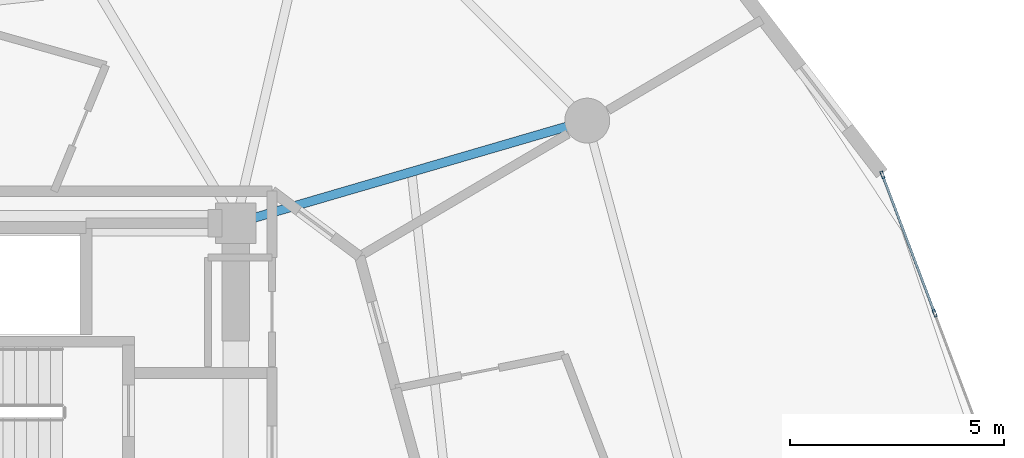
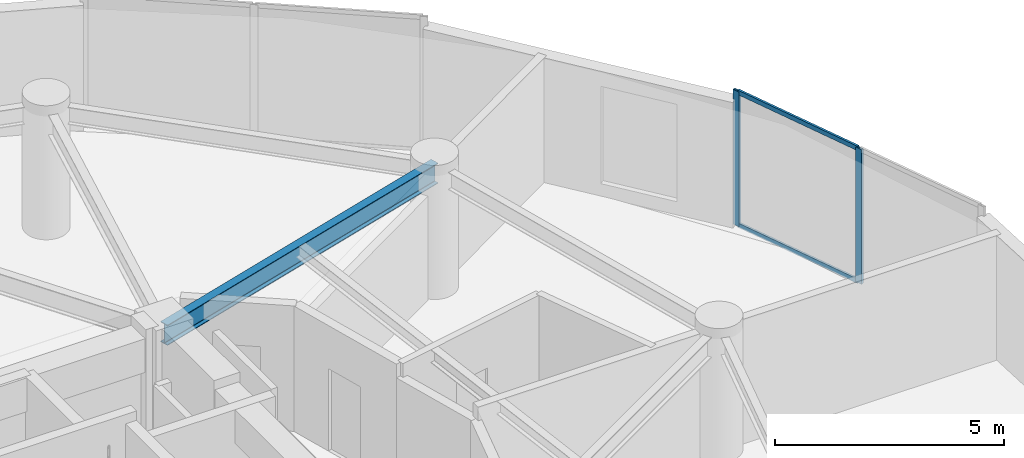
# One storey, part 14 of 25: 4 members, 1 beam, 1 element without a shape of its own.
"""IFC4 building model written with IfcOpenShell, lengths in metres."""

import ifcopenshell
import ifcopenshell.guid

model = None  # the IFC model being written
_history = None  # IfcOwnerHistory: only IFC2X3 demands one
_inside = {}  # id of a spatial element -> (the spatial element, [elements in it])
_under = {}  # id of a project, library or spatial element -> (it, [spatial elements below it])
_declared = {}  # id of a project -> (the project, [libraries it declares])
_typed = {}  # id of a type object -> (the type object, [elements of that type])
_made_of = {}  # id of a material, layer set ... -> (it, [elements and type objects made of it])


def new_model(schema):
    """Start an empty IFC model of exactly this schema.

    Asked for "IFC4X3", IfcOpenShell would pick the latest addendum, in which some entities
    have other attributes; the version numbers below select the first issue.
    IFC2X3 requires an IfcOwnerHistory on every rooted entity: one is made here for all.
    """
    global model, _history
    if schema == "IFC4X3":
        model = ifcopenshell.file(schema_version=(4, 3, 0, 0))
    else:
        model = ifcopenshell.file(schema=schema)
    _inside.clear()
    _under.clear()
    _declared.clear()
    _typed.clear()
    _made_of.clear()
    _history = None
    if model.schema == "IFC2X3":
        org = make("IfcOrganization", Name="unknown")
        user = make(
            "IfcPersonAndOrganization",
            ThePerson=make("IfcPerson", FamilyName="unknown"),
            TheOrganization=org,
        )
        app = make(
            "IfcApplication",
            ApplicationDeveloper=org,
            Version="unknown",
            ApplicationFullName="unknown",
            ApplicationIdentifier="unknown",
        )
        _history = make(
            "IfcOwnerHistory",
            OwningUser=user,
            OwningApplication=app,
            ChangeAction="ADDED",
            CreationDate=0,
        )
    return model


def make(cls, **values):
    """One entity of the class cls with the attributes given. An attribute that is None is left unset."""
    return model.create_entity(
        cls, **{name: value for name, value in values.items() if value is not None}
    )


def rooted(cls, **values):
    """An entity with a GlobalId (a new one), such as an element, a storey or a relation."""
    return make(cls, GlobalId=ifcopenshell.guid.new(), OwnerHistory=_history, **values)


def si_unit(unit_type, name, prefix=None):
    """IfcSIUnit, for example si_unit("LENGTHUNIT", "METRE", prefix="MILLI")."""
    return make("IfcSIUnit", UnitType=unit_type, Prefix=prefix, Name=name)


def assignment(units):
    """IfcUnitAssignment: the units of a project."""
    return None if units is None else make("IfcUnitAssignment", Units=units)


def point(xyz):
    """IfcCartesianPoint."""
    return None if xyz is None else make("IfcCartesianPoint", Coordinates=xyz)


def direction(xyz):
    """IfcDirection."""
    return None if xyz is None else make("IfcDirection", DirectionRatios=xyz)


def frame(location, z_axis=None, x_axis=None):
    """IfcAxis2Placement3D, a coordinate frame: its origin and axes. An axis left out is left unset."""
    return make(
        "IfcAxis2Placement3D",
        Location=point(location),
        Axis=direction(z_axis),
        RefDirection=direction(x_axis),
    )


def frame_2d(location, x_axis=None):
    """IfcAxis2Placement2D, a coordinate frame in the plane: its origin and x axis."""
    return make(
        "IfcAxis2Placement2D", Location=point(location), RefDirection=direction(x_axis)
    )


def origin():
    """The frame at (0, 0, 0) with its axes left unset."""
    return frame((0.0, 0.0, 0.0))


def origin_2d():
    """The frame at (0, 0) in the plane with its x axis left unset."""
    return frame_2d((0.0, 0.0))


def place(relative_to, where):
    """IfcLocalPlacement: puts the frame where relative to a parent placement (None: the world)."""
    return make(
        "IfcLocalPlacement", PlacementRelTo=relative_to, RelativePlacement=where
    )


def context(
    kind, dimensions, precision=None, world=None, true_north=None, identifier=None
):
    """IfcGeometricRepresentationContext, for example the 3D "Model" context."""
    return make(
        "IfcGeometricRepresentationContext",
        ContextIdentifier=identifier,
        ContextType=kind,
        CoordinateSpaceDimension=dimensions,
        Precision=precision,
        WorldCoordinateSystem=world,
        TrueNorth=true_north,
    )


def subcontext(parent, identifier, kind, view, scale=None):
    """IfcGeometricRepresentationSubContext, for example "Body" below "Model"."""
    return make(
        "IfcGeometricRepresentationSubContext",
        ContextIdentifier=identifier,
        ContextType=kind,
        ParentContext=parent,
        TargetScale=scale,
        TargetView=view,
    )


def project(units=None, contexts=None):
    """IfcProject with its units and contexts."""
    return rooted(
        "IfcProject",
        Name="project",
        RepresentationContexts=contexts,
        UnitsInContext=assignment(units),
    )


def spatial(cls, under=None, at=None, **own):
    """A site, building, storey or space (cls), placed at a placement, below another one or the project."""
    s = rooted(cls, ObjectPlacement=at, **own)
    if under is not None:
        _under.setdefault(under.id(), (under, []))[1].append(s)
    return s


def profile(cls, at=None, kind="AREA", **sizes):
    """A parametric profile (cls). Its sizes go by their IFC names, for example OverallWidth=200.0."""
    return make(cls, ProfileType=kind, Position=at, **sizes)


def hollow_rectangle(**sizes):
    """IfcRectangleHollowProfileDef."""
    return profile("IfcRectangleHollowProfileDef", **sizes)


def i_section(**sizes):
    """IfcIShapeProfileDef."""
    return profile("IfcIShapeProfileDef", **sizes)


def extrude(swept, where, along, depth):
    """IfcExtrudedAreaSolid: the profile swept, set in the frame where, extruded along a direction by depth."""
    return make(
        "IfcExtrudedAreaSolid",
        SweptArea=swept,
        Position=where,
        ExtrudedDirection=direction(along),
        Depth=depth,
    )


def shape(context_of_items, identifier, shape_type, items):
    """IfcShapeRepresentation: the items that make up one representation, for example the "Body"."""
    return make(
        "IfcShapeRepresentation",
        ContextOfItems=context_of_items,
        RepresentationIdentifier=identifier,
        RepresentationType=shape_type,
        Items=items,
    )


def source(mapping_origin, context_of_items, identifier, shape_type, items):
    """IfcRepresentationMap: a shape defined once, which mapped items show again and again."""
    return make(
        "IfcRepresentationMap",
        MappingOrigin=mapping_origin,
        MappedRepresentation=shape(context_of_items, identifier, shape_type, items),
    )


def transform(
    local_origin,
    x_axis=None,
    y_axis=None,
    z_axis=None,
    scale=None,
    scale2=None,
    scale3=None,
    uniform=True,
):
    """IfcCartesianTransformationOperator3D, or its non-uniform kind. x_axis, y_axis, z_axis: its Axis1, 2, 3."""
    if uniform:
        return make(
            "IfcCartesianTransformationOperator3D",
            Axis1=direction(x_axis),
            Axis2=direction(y_axis),
            LocalOrigin=point(local_origin),
            Scale=scale,
            Axis3=direction(z_axis),
        )
    return make(
        "IfcCartesianTransformationOperator3DnonUniform",
        Axis1=direction(x_axis),
        Axis2=direction(y_axis),
        LocalOrigin=point(local_origin),
        Scale=scale,
        Axis3=direction(z_axis),
        Scale2=scale2,
        Scale3=scale3,
    )


def mapped(mapping_source, mapping_target):
    """IfcMappedItem: shows the shape of a source again, moved by a transform."""
    return make(
        "IfcMappedItem", MappingSource=mapping_source, MappingTarget=mapping_target
    )


def material(Name=None, Category=None):
    """IfcMaterial."""
    return make("IfcMaterial", Name=Name, Category=Category)


def layer(
    of_material, thickness, ventilated=None, Name=None, Category=None, Priority=None
):
    """IfcMaterialLayer: one layer of a wall or slab, of a material (None: an air gap)."""
    return make(
        "IfcMaterialLayer",
        Material=of_material,
        LayerThickness=thickness,
        IsVentilated=ventilated,
        Name=Name,
        Category=Category,
        Priority=Priority,
    )


def layer_set(layers, Name=None):
    """IfcMaterialLayerSet."""
    return make("IfcMaterialLayerSet", MaterialLayers=layers, LayerSetName=Name)


def material_profile(
    of_material, cross_section, Name=None, Category=None, Priority=None
):
    """IfcMaterialProfile: a cross section and its material."""
    return make(
        "IfcMaterialProfile",
        Name=Name,
        Material=of_material,
        Profile=cross_section,
        Priority=Priority,
        Category=Category,
    )


def profile_set(profiles, Name=None, composite=None):
    """IfcMaterialProfileSet."""
    return make(
        "IfcMaterialProfileSet",
        Name=Name,
        MaterialProfiles=profiles,
        CompositeProfile=composite,
    )


def made_of(thing, what):
    """Note that an element or type object is made of a material, layer set ...; save() writes the relation."""
    if what is not None:
        _made_of.setdefault(what.id(), (what, []))[1].append(thing)
    return thing


def type_object(cls, material=None, **own):
    """A type object (cls), such as IfcWallType, which elements share."""
    return made_of(rooted(cls, **own), material)


def element(
    cls,
    number,
    at=None,
    inside=None,
    cuts=None,
    type_object=None,
    material=None,
    context=None,
    identifier="Body",
    shape_type=None,
    held_by="IfcProductDefinitionShape",
    body=None,
    shapes=None,
    **own,
):
    """One element of the class cls, such as IfcWall. Its Tag is "e" and its number.

    at: its placement. inside: the storey or other place that contains it. cuts: it is an
    opening in that element (IfcRelVoidsElement). A single representation is given by context,
    identifier, shape_type and body (its items); several are given by shapes. held_by: the class
    of the entity that holds the representations. save() writes the other relations.
    """
    e = rooted(cls, Tag="e%d" % number, ObjectPlacement=at, **own)
    if body is not None:
        shapes = [shape(context, identifier, shape_type, body)]
    if shapes is not None:
        e.Representation = make(held_by, Representations=shapes)
    if inside is not None:
        _inside.setdefault(inside.id(), (inside, []))[1].append(e)
    if cuts is not None:
        rooted(
            "IfcRelVoidsElement", RelatingBuildingElement=cuts, RelatedOpeningElement=e
        )
    if type_object is not None:
        _typed.setdefault(type_object.id(), (type_object, []))[1].append(e)
    return made_of(e, material)


def aggregate(whole, parts):
    """IfcRelAggregates: a whole, such as a stair, and the parts it consists of."""
    return rooted("IfcRelAggregates", RelatingObject=whole, RelatedObjects=parts)


def save(model, path):
    """Write the relations noted so far, then the file.

    IfcRelAggregates (storeys below a building ...), IfcRelContainedInSpatialStructure (elements
    in a storey), IfcRelDefinesByType, IfcRelAssociatesMaterial and IfcRelDeclares: one each for
    every whole, place, type object, material and project.
    """
    for whole, parts in _under.values():
        aggregate(whole, parts)
    for where, things in _inside.values():
        rooted(
            "IfcRelContainedInSpatialStructure",
            RelatedElements=things,
            RelatingStructure=where,
        )
    for kind, things in _typed.values():
        rooted("IfcRelDefinesByType", RelatedObjects=things, RelatingType=kind)
    for what, things in _made_of.values():
        rooted("IfcRelAssociatesMaterial", RelatedObjects=things, RelatingMaterial=what)
    for by, libraries in _declared.values():
        rooted("IfcRelDeclares", RelatingContext=by, RelatedDefinitions=libraries)
    model.write(path)


model = new_model("IFC4")

# Units and contexts
model_context = context("Model", 3, precision=1e-05, world=origin(), true_north=direction((0.0, 1.0)))
body_context = subcontext(model_context, "Body", "Model", "MODEL_VIEW")
ifc_project = project(units=[si_unit("LENGTHUNIT", "METRE"), si_unit("AREAUNIT", "SQUARE_METRE"), si_unit("VOLUMEUNIT", "CUBIC_METRE"), si_unit("PLANEANGLEUNIT", "RADIAN"), si_unit("MASSUNIT", "GRAM", prefix="KILO")], contexts=[model_context])

# Site, building, storey
site_placement = place(None, origin())
site = spatial("IfcSite", under=ifc_project, at=site_placement, CompositionType="ELEMENT")
building_placement = place(site_placement, origin())
building = spatial("IfcBuilding", under=site, at=building_placement, Name="Solvirekh Grand Hotel", CompositionType="ELEMENT")
storey_placement = place(building_placement, frame((0.0, 0.0, 102.60009765625)))
storey = spatial("IfcBuildingStorey", under=building, at=storey_placement, Name="L25", CompositionType="ELEMENT", Elevation=102.60009765625)

# Beam
ifc_material_1 = material(Name="Steel S355", Category="steel")
ifc_material_profile_1 = material_profile(ifc_material_1, i_section(OverallWidth=0.2119140625, OverallDepth=0.5439453125, WebThickness=0.011962890625, FlangeThickness=0.01904296875, FilletRadius=0.013916015625, at=origin_2d()), Name="W530X123")
ifc_profile_set_1 = profile_set([ifc_material_profile_1], Name="Steel S355")
beam_type = type_object("IfcBeamType", Name="Beam_Radial_W530H", PredefinedType="BEAM", material=ifc_profile_set_1)
beam_placement = place(storey_placement, frame((6.5, 6.10009765625, 3.077880859375), z_axis=(0.959942195467, 0.28019811092, 0.0), x_axis=(-0.28019811092, 0.959942195467, 0.0)))
element("IfcBeam", 1, at=beam_placement, inside=storey, type_object=beam_type, Name="L25 radial floor beam R02", PredefinedType="BEAM", context=body_context, shape_type="SweptSolid", body=[
    extrude(i_section(OverallWidth=0.2119140625, OverallDepth=0.5439453125, WebThickness=0.011962890625, FlangeThickness=0.01904296875, FilletRadius=0.013916015625, at=origin_2d()), origin(), (0.0, 0.0, 1.0), 8.56494140625),
])

# Curtain wall, members
ifc_material_2 = material(Name="Anodized Bronze Aluminium 6063-T6", Category="aluminium")
ifc_layer = layer(ifc_material_2, 0.175048828125)
ifc_layer_set = layer_set([ifc_layer], Name="Anodized Bronze Aluminium 6063-T6")
curtain_wall_type = type_object("IfcCurtainWallType", Name="CW_Sys3_MidZoneFlushBronzeCW", PredefinedType="NOTDEFINED", material=ifc_layer_set)
curtain_wall_placement = place(storey_placement, origin())
curtain_wall = element("IfcCurtainWall", 2, at=curtain_wall_placement, inside=storey, type_object=curtain_wall_type, Name="L25 unitised bronze-glass curtain wall CW-L25-C03", PredefinedType="NOTDEFINED")
ifc_material_profile_2 = material_profile(ifc_material_2, hollow_rectangle(XDim=0.06494140625, YDim=0.175048828125, WallThickness=0.0048828125, at=origin_2d()), Name="ALU RHS 175X65X5")
ifc_profile_set_2 = profile_set([ifc_material_profile_2], Name="Anodized Bronze Aluminium 6063-T6")
member_type_1 = type_object("IfcMemberType", Name="CWMullion_Sys3", PredefinedType="MULLION", material=ifc_profile_set_2)
shared_shape_1 = source(origin(), body_context, "Body", "SweptSolid", [
    extrude(hollow_rectangle(XDim=0.06494140625, YDim=0.175048828125, WallThickness=0.0048828125, at=origin_2d()), origin(), (0.0, 0.0, 1.0), 3.599853515625),
])
member_1_placement = place(storey_placement, frame((22.8505859375, 3.991943359375, 0.0), z_axis=(0.0, 0.0, 1.0), x_axis=(-0.935420579411, -0.353536899934, 0.0)))
member_1 = element("IfcMember", 3, at=member_1_placement, type_object=member_type_1, Name="U03 mullion 2", PredefinedType="MULLION", context=body_context, shape_type="MappedRepresentation", body=[
    mapped(shared_shape_1, transform((0.0, 0.0, 0.0), x_axis=(1.0, 0.0, 0.0), y_axis=(0.0, 1.0, 0.0), z_axis=(0.0, 0.0, 1.0), scale=1.0)),
])
member_2_placement = place(storey_placement, frame((21.62646484375, 7.230712890625, 0.0), z_axis=(0.0, 0.0, 1.0), x_axis=(-0.935420579411, -0.353536899934, 0.0)))
member_2 = element("IfcMember", 4, at=member_2_placement, type_object=member_type_1, Name="U03 mullion 3", PredefinedType="MULLION", context=body_context, shape_type="MappedRepresentation", body=[
    mapped(shared_shape_1, transform((0.0, 0.0, 0.0), x_axis=(1.0, 0.0, 0.0), y_axis=(0.0, 1.0, 0.0), z_axis=(0.0, 0.0, 1.0), scale=1.0)),
])
ifc_material_profile_3 = material_profile(ifc_material_2, hollow_rectangle(XDim=0.054931640625, YDim=0.1201171875, WallThickness=0.00390625, at=origin_2d()), Name="ALU RHS 120X55X4")
ifc_profile_set_3 = profile_set([ifc_material_profile_3], Name="Anodized Bronze Aluminium 6063-T6")
member_type_2 = type_object("IfcMemberType", Name="CWTransom_Sys3", PredefinedType="USERDEFINED", material=ifc_profile_set_3)
shared_shape_2 = source(origin(), body_context, "Body", "SweptSolid", [
    extrude(hollow_rectangle(XDim=0.054931640625, YDim=0.1201171875, WallThickness=0.00390625, at=origin_2d()), origin(), (0.0, 0.0, 1.0), 3.397216796875),
])
member_3_placement = place(storey_placement, frame((22.839111328125, 4.0224609375, 0.02734375), z_axis=(-0.353579450188, 0.935404496677, 0.0), x_axis=(-0.935404496677, -0.353579450188, 0.0)))
member_3 = element("IfcMember", 5, at=member_3_placement, type_object=member_type_2, Name="U03 transom 2.1", ObjectType="TRANSOM", PredefinedType="USERDEFINED", context=body_context, shape_type="MappedRepresentation", body=[
    mapped(shared_shape_2, transform((0.0, 0.0, 0.0), x_axis=(1.0, 0.0, 0.0), y_axis=(0.0, 1.0, 0.0), z_axis=(0.0, 0.0, 1.0), scale=1.0)),
])
member_4_placement = place(storey_placement, frame((22.839111328125, 4.0224609375, 3.572509765625), z_axis=(-0.353579450188, 0.935404496677, 0.0), x_axis=(-0.935404496677, -0.353579450188, 0.0)))
member_4 = element("IfcMember", 6, at=member_4_placement, type_object=member_type_2, Name="U03 transom 2.2", ObjectType="TRANSOM", PredefinedType="USERDEFINED", context=body_context, shape_type="MappedRepresentation", body=[
    mapped(shared_shape_2, transform((0.0, 0.0, 0.0), x_axis=(1.0, 0.0, 0.0), y_axis=(0.0, 1.0, 0.0), z_axis=(0.0, 0.0, 1.0), scale=1.0)),
])
aggregate(curtain_wall, [member_1, member_2, member_3, member_4])

save(model, "model.ifc")
